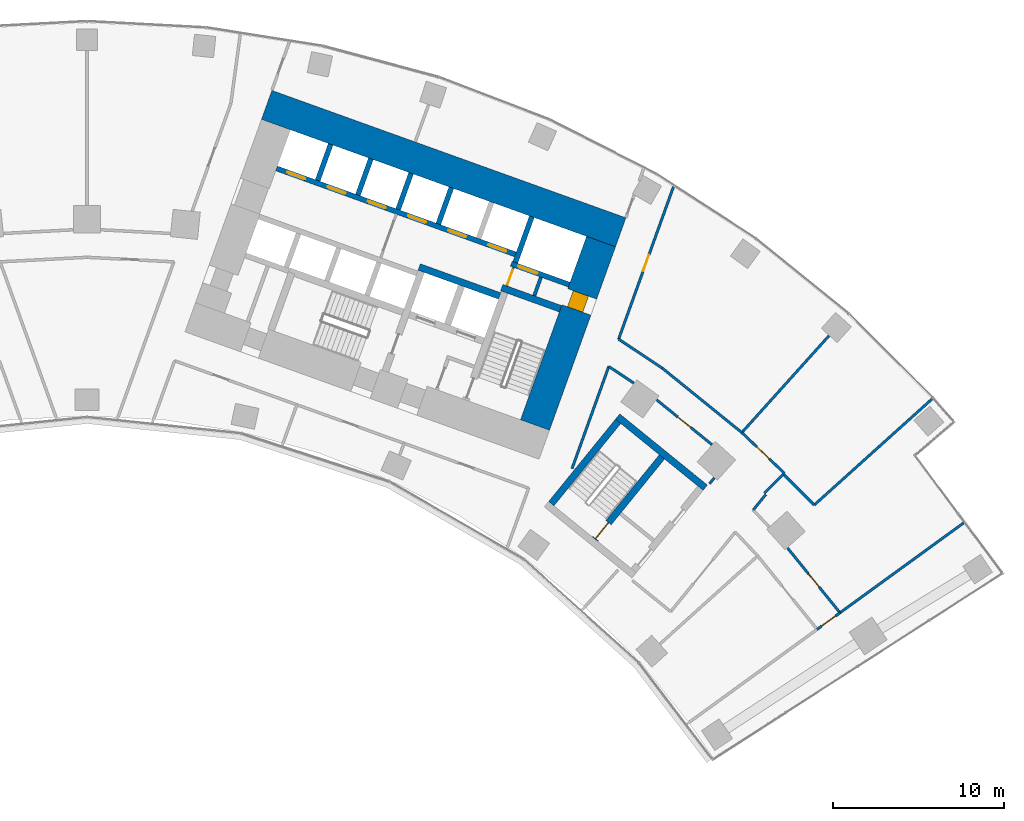
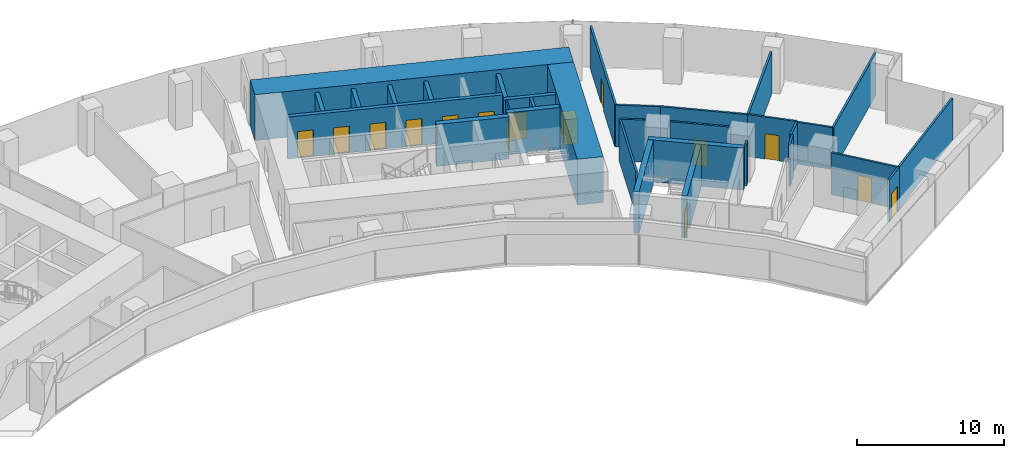
# One storey, part 18 of 21: 32 walls, 15 doors, 15 openings.
"""IFC4 building model written with IfcOpenShell, lengths in metres."""

from ifc_helpers import new_model, si_unit, direction, frame, frame_2d, origin, place, context, subcontext, project, spatial, rectangle, extrude, material, layer, layer_set, type_object, element, fill, save


model = new_model("IFC4")

# Units and contexts
model_context = context("Model", 3, precision=1e-05, world=origin(), true_north=direction((0.0, 1.0)))
body_context = subcontext(model_context, "Body", "Model", "MODEL_VIEW")
ifc_project = project(units=[si_unit("LENGTHUNIT", "METRE"), si_unit("AREAUNIT", "SQUARE_METRE"), si_unit("VOLUMEUNIT", "CUBIC_METRE"), si_unit("PLANEANGLEUNIT", "RADIAN"), si_unit("MASSUNIT", "GRAM", prefix="KILO")], contexts=[model_context])

# Site, building, storey
site_placement = place(None, origin())
site = spatial("IfcSite", under=ifc_project, at=site_placement, CompositionType="ELEMENT")
building_placement = place(site_placement, origin())
building = spatial("IfcBuilding", under=site, at=building_placement, Name="Stone Belt Terrace Tower", CompositionType="ELEMENT")
storey_placement = place(building_placement, frame((0.0, 0.0, 49.0)))
storey = spatial("IfcBuildingStorey", under=building, at=storey_placement, Name="L11", CompositionType="ELEMENT", Elevation=49.0)

# Wall, opening, door
ifc_material_1 = material(Name="Plasterboard partition")
ifc_layer_1 = layer(ifc_material_1, 0.10009765625)
ifc_layer_set_1 = layer_set([ifc_layer_1], Name="Core partition 100")
wall_type_1 = type_object("IfcWallType", Name="Core partition 100", PredefinedType="PARTITIONING", material=ifc_layer_set_1)
wall_1_placement = place(storey_placement, frame((24.555908203125, 51.10400390625, 0.0), z_axis=(0.0, 0.0, 1.0), x_axis=(0.338621735342, 0.94092258999, 0.0)))
wall_1 = element("IfcWall", 1, at=wall_1_placement, inside=storey, type_object=wall_type_1, Name="Core B wall", PredefinedType="PARTITIONING", context=body_context, shape_type="SweptSolid", body=[
    extrude(rectangle(XDim=1.14990234375, YDim=0.10009765625, at=frame_2d((0.574951171875, 0.0))), origin(), (0.0, 0.0, 1.0), 3.47998046875),
])
opening_1_placement = place(wall_1_placement, frame((0.050048828125, 0.0, 0.0)))
opening_1 = element("IfcOpeningElement", 2, at=opening_1_placement, cuts=wall_1, Name="Opening L11-C13", PredefinedType="OPENING", context=body_context, shape_type="SweptSolid", body=[
    extrude(rectangle(XDim=1.0, YDim=2.10009765625, at=frame_2d((0.5, 1.050048828125))), frame((0.0, 0.06005859375, 0.0), z_axis=(0.0, -1.0, 0.0), x_axis=(1.0, 0.0, 0.0)), (0.0, 0.0, 1.0), 0.1201171875),
])
ifc_material_2 = material(Name="Timber door leaf", Category="wood")
door_type_1 = type_object("IfcDoorType", Name="Core room door 1000", OperationType="SINGLE_SWING_LEFT", PredefinedType="DOOR", material=ifc_material_2)
door_1_placement = place(opening_1_placement, origin())
door_1 = element("IfcDoor", 3, at=door_1_placement, inside=storey, type_object=door_type_1, Name="Service lift lobby door core B", OperationType="SINGLE_SWING_RIGHT", OverallHeight=2.10009765625, OverallWidth=1.0, PredefinedType="DOOR", context=body_context, shape_type="SweptSolid", body=[
    extrude(rectangle(XDim=1.0, YDim=2.10009765625, at=frame_2d((0.5, 1.050048828125))), frame((0.0, 0.02490234375, 0.0), z_axis=(0.0, -1.0, 0.0), x_axis=(1.0, 0.0, 0.0)), (0.0, 0.0, 1.0), 0.050048828125),
])
fill(opening_1, door_1)

# Wall
ifc_material_3 = material(Name="Concrete B80", Category="concrete")
ifc_layer_2 = layer(ifc_material_3, 1.800048828125)
ifc_layer_set_2 = layer_set([ifc_layer_2], Name="Core wall 1800 B80")
wall_type_2 = type_object("IfcWallType", Name="Core wall 1800 B80", PredefinedType="SHEAR", material=ifc_layer_set_2)
wall_2_placement = place(storey_placement, frame((10.509033203125, 61.685546875, 0.0), z_axis=(0.0, 0.0, 1.0), x_axis=(0.940922914687, -0.338620833112, 0.0)))
element("IfcWall", 4, at=wall_2_placement, inside=storey, type_object=wall_type_2, Name="Core B wall convex L11", PredefinedType="SHEAR", context=body_context, shape_type="SweptSolid", body=[
    extrude(rectangle(XDim=22.000244140625, YDim=1.800048828125, at=frame_2d((11.0, 0.0))), origin(), (0.0, 0.0, 1.0), 3.800048828125),
])

# Wall, opening, door
wall_3_placement = place(storey_placement, frame((26.197509765625, 42.96728515625, 0.0), z_axis=(0.0, 0.0, 1.0), x_axis=(0.338625431531, 0.940921259788, 0.0)))
wall_3 = element("IfcWall", 5, at=wall_3_placement, inside=storey, type_object=wall_type_2, Name="Core B wall end_b L11", PredefinedType="SHEAR", context=body_context, shape_type="SweptSolid", body=[
    extrude(rectangle(XDim=11.400146484375, YDim=1.800048828125, at=frame_2d((5.7001953125, 0.0))), origin(), (0.0, 0.0, 1.0), 3.800048828125),
])
opening_2_placement = place(wall_3_placement, frame((7.150146484375, 0.0, 0.0)))
opening_2 = element("IfcOpeningElement", 6, at=opening_2_placement, cuts=wall_3, Name="Opening L11-C12", PredefinedType="OPENING", context=body_context, shape_type="SweptSolid", body=[
    extrude(rectangle(XDim=1.0, YDim=2.10009765625, at=frame_2d((0.5, 1.050048828125))), frame((0.0, 0.909912109375, 0.0), z_axis=(0.0, -1.0, 0.0), x_axis=(1.0, 0.0, 0.0)), (0.0, 0.0, 1.0), 1.820068359375),
])
door_2_placement = place(opening_2_placement, origin())
door_2 = element("IfcDoor", 7, at=door_2_placement, inside=storey, type_object=door_type_1, Name="Door to Telecommunications riser room core B", OperationType="SINGLE_SWING_LEFT", OverallHeight=2.10009765625, OverallWidth=1.0, PredefinedType="DOOR", context=body_context, shape_type="SweptSolid", body=[
    extrude(rectangle(XDim=1.0, YDim=2.10009765625, at=frame_2d((0.5, 1.050048828125))), frame((0.0, 0.55517578125, 0.0), z_axis=(0.0, -1.0, 0.0), x_axis=(1.0, 0.0, 0.0)), (0.0, 0.0, 1.0), 0.949951171875),
])
fill(opening_2, door_2)

# Wall
ifc_layer_3 = layer(ifc_material_3, 0.39990234375)
ifc_layer_set_3 = layer_set([ifc_layer_3], Name="Fire-fighting lift shaft wall 400")
wall_type_3 = type_object("IfcWallType", Name="Fire-fighting lift shaft wall 400", PredefinedType="SHEAR", material=ifc_layer_set_3)
wall_4_placement = place(storey_placement, frame((24.130615234375, 50.512939453125, 0.0), z_axis=(0.0, 0.0, 1.0), x_axis=(-0.94091168377, 0.338652038744, 0.0)))
element("IfcWall", 8, at=wall_4_placement, inside=storey, type_object=wall_type_3, Name="Core B wall", PredefinedType="SHEAR", context=body_context, shape_type="SweptSolid", body=[
    extrude(rectangle(XDim=5.000244140625, YDim=0.39990234375, at=frame_2d((2.5, 0.0))), origin(), (0.0, 0.0, 1.0), 3.47998046875),
])

# Wall, opening, door
ifc_layer_4 = layer(ifc_material_3, 0.300048828125)
ifc_layer_set_4 = layer_set([ifc_layer_4], Name="Lift shaft wall 300")
wall_type_4 = type_object("IfcWallType", Name="Lift shaft wall 300", PredefinedType="SHEAR", material=ifc_layer_set_4)
wall_5_placement = place(storey_placement, frame((28.195068359375, 51.17578125, 0.0), z_axis=(0.0, 0.0, 1.0), x_axis=(-0.940901243567, 0.338681044427, 0.0)))
wall_5 = element("IfcWall", 9, at=wall_5_placement, inside=storey, type_object=wall_type_4, Name="Core B wall", PredefinedType="SHEAR", context=body_context, shape_type="SweptSolid", body=[
    extrude(rectangle(XDim=3.599853515625, YDim=0.300048828125, at=frame_2d((1.7998046875, 0.0))), origin(), (0.0, 0.0, 1.0), 3.47998046875),
])
opening_3_placement = place(wall_5_placement, frame((1.969970703125, 0.0, 0.0)))
opening_3 = element("IfcOpeningElement", 10, at=opening_3_placement, cuts=wall_5, Name="Opening L11-LD18", PredefinedType="OPENING", context=body_context, shape_type="SweptSolid", body=[
    extrude(rectangle(XDim=1.199951171875, YDim=2.199951171875, at=frame_2d((0.60009765625, 1.10009765625))), frame((0.0, 0.159912109375, 0.0), z_axis=(0.0, -1.0, 0.0), x_axis=(1.0, 0.0, 0.0)), (0.0, 0.0, 1.0), 0.320068359375),
])
ifc_material_4 = material(Name="Stainless steel door leaf", Category="steel")
door_type_2 = type_object("IfcDoorType", Name="Landing door 1200", OperationType="SLIDING_TO_LEFT", PredefinedType="DOOR", material=ifc_material_4)
door_3_placement = place(opening_3_placement, origin())
door_3 = element("IfcDoor", 11, at=door_3_placement, inside=storey, type_object=door_type_2, Name="Landing door SV1 core B", OperationType="SLIDING_TO_LEFT", OverallHeight=2.199951171875, OverallWidth=1.199951171875, PredefinedType="DOOR", context=body_context, shape_type="SweptSolid", body=[
    extrude(rectangle(XDim=1.199951171875, YDim=2.199951171875, at=frame_2d((0.60009765625, 1.10009765625))), frame((0.0, 0.02490234375, 0.0), z_axis=(0.0, -1.0, 0.0), x_axis=(1.0, 0.0, 0.0)), (0.0, 0.0, 1.0), 0.050048828125),
])
fill(opening_3, door_3)

# Wall
wall_6_placement = place(storey_placement, frame((25.046875, 52.46826171875, 0.0), z_axis=(0.0, 0.0, 1.0), x_axis=(0.338549588058, 0.940948551423, 0.0)))
element("IfcWall", 12, at=wall_6_placement, inside=storey, type_object=wall_type_4, Name="Core B wall", PredefinedType="SHEAR", context=body_context, shape_type="SweptSolid", body=[
    extrude(rectangle(XDim=2.849853515625, YDim=0.300048828125, at=frame_2d((1.4248046875, 0.0))), origin(), (0.0, 0.0, 1.0), 3.47998046875),
])

# Wall, openings, doors
wall_7_placement = place(storey_placement, frame((25.05810546875, 52.9423828125, 0.0), z_axis=(0.0, 0.0, 1.0), x_axis=(-0.940918215764, 0.338633889685, 0.0)))
wall_7 = element("IfcWall", 13, at=wall_7_placement, inside=storey, type_object=wall_type_4, Name="Core B wall", PredefinedType="SHEAR", context=body_context, shape_type="SweptSolid", body=[
    extrude(rectangle(XDim=14.850341796875, YDim=0.300048828125, at=frame_2d((7.42529296875, 0.0))), origin(), (0.0, 0.0, 1.0), 3.47998046875),
])
opening_4_placement = place(wall_7_placement, frame((0.570068359375, 0.0, 0.0)))
opening_4 = element("IfcOpeningElement", 14, at=opening_4_placement, cuts=wall_7, Name="Opening L11-LD10", PredefinedType="OPENING", context=body_context, shape_type="SweptSolid", body=[
    extrude(rectangle(XDim=1.10009765625, YDim=2.199951171875, at=frame_2d((0.550048828125, 1.10009765625))), frame((0.0, 0.159912109375, 0.0), z_axis=(0.0, -1.0, 0.0), x_axis=(1.0, 0.0, 0.0)), (0.0, 0.0, 1.0), 0.320068359375),
])
opening_5_placement = place(wall_7_placement, frame((3.070068359375, 0.0, 0.0)))
opening_5 = element("IfcOpeningElement", 15, at=opening_5_placement, cuts=wall_7, Name="Opening L11-LD11", PredefinedType="OPENING", context=body_context, shape_type="SweptSolid", body=[
    extrude(rectangle(XDim=1.10009765625, YDim=2.199951171875, at=frame_2d((0.550048828125, 1.10009765625))), frame((0.0, 0.159912109375, 0.0), z_axis=(0.0, -1.0, 0.0), x_axis=(1.0, 0.0, 0.0)), (0.0, 0.0, 1.0), 0.320068359375),
])
opening_6_placement = place(wall_7_placement, frame((5.570068359375, 0.0, 0.0)))
opening_6 = element("IfcOpeningElement", 16, at=opening_6_placement, cuts=wall_7, Name="Opening L11-LD12", PredefinedType="OPENING", context=body_context, shape_type="SweptSolid", body=[
    extrude(rectangle(XDim=1.10009765625, YDim=2.199951171875, at=frame_2d((0.550048828125, 1.10009765625))), frame((0.0, 0.159912109375, 0.0), z_axis=(0.0, -1.0, 0.0), x_axis=(1.0, 0.0, 0.0)), (0.0, 0.0, 1.0), 0.320068359375),
])
opening_7_placement = place(wall_7_placement, frame((8.070068359375, 0.0, 0.0)))
opening_7 = element("IfcOpeningElement", 17, at=opening_7_placement, cuts=wall_7, Name="Opening L11-LD13", PredefinedType="OPENING", context=body_context, shape_type="SweptSolid", body=[
    extrude(rectangle(XDim=1.10009765625, YDim=2.199951171875, at=frame_2d((0.550048828125, 1.10009765625))), frame((0.0, 0.159912109375, 0.0), z_axis=(0.0, -1.0, 0.0), x_axis=(1.0, 0.0, 0.0)), (0.0, 0.0, 1.0), 0.320068359375),
])
opening_8_placement = place(wall_7_placement, frame((10.570068359375, 0.0, 0.0)))
opening_8 = element("IfcOpeningElement", 18, at=opening_8_placement, cuts=wall_7, Name="Opening L11-LD14", PredefinedType="OPENING", context=body_context, shape_type="SweptSolid", body=[
    extrude(rectangle(XDim=1.10009765625, YDim=2.199951171875, at=frame_2d((0.550048828125, 1.10009765625))), frame((0.0, 0.159912109375, 0.0), z_axis=(0.0, -1.0, 0.0), x_axis=(1.0, 0.0, 0.0)), (0.0, 0.0, 1.0), 0.320068359375),
])
opening_9_placement = place(wall_7_placement, frame((13.070068359375, 0.0, 0.0)))
opening_9 = element("IfcOpeningElement", 19, at=opening_9_placement, cuts=wall_7, Name="Opening L11-LD15", PredefinedType="OPENING", context=body_context, shape_type="SweptSolid", body=[
    extrude(rectangle(XDim=1.10009765625, YDim=2.199951171875, at=frame_2d((0.550048828125, 1.10009765625))), frame((0.0, 0.159912109375, 0.0), z_axis=(0.0, -1.0, 0.0), x_axis=(1.0, 0.0, 0.0)), (0.0, 0.0, 1.0), 0.320068359375),
])
door_type_3 = type_object("IfcDoorType", Name="Landing door 1100", OperationType="SLIDING_TO_LEFT", PredefinedType="DOOR", material=ifc_material_4)
door_4_placement = place(opening_4_placement, origin())
door_4 = element("IfcDoor", 20, at=door_4_placement, inside=storey, type_object=door_type_3, Name="Landing door LR1 core B", OperationType="SLIDING_TO_LEFT", OverallHeight=2.199951171875, OverallWidth=1.10009765625, PredefinedType="DOOR", context=body_context, shape_type="SweptSolid", body=[
    extrude(rectangle(XDim=1.10009765625, YDim=2.199951171875, at=frame_2d((0.550048828125, 1.10009765625))), frame((0.0, 0.02490234375, 0.0), z_axis=(0.0, -1.0, 0.0), x_axis=(1.0, 0.0, 0.0)), (0.0, 0.0, 1.0), 0.050048828125),
])
fill(opening_4, door_4)
door_5_placement = place(opening_5_placement, origin())
door_5 = element("IfcDoor", 21, at=door_5_placement, inside=storey, type_object=door_type_3, Name="Landing door LR2 core B", OperationType="SLIDING_TO_LEFT", OverallHeight=2.199951171875, OverallWidth=1.10009765625, PredefinedType="DOOR", context=body_context, shape_type="SweptSolid", body=[
    extrude(rectangle(XDim=1.10009765625, YDim=2.199951171875, at=frame_2d((0.550048828125, 1.10009765625))), frame((0.0, 0.02490234375, 0.0), z_axis=(0.0, -1.0, 0.0), x_axis=(1.0, 0.0, 0.0)), (0.0, 0.0, 1.0), 0.050048828125),
])
fill(opening_5, door_5)
door_6_placement = place(opening_6_placement, origin())
door_6 = element("IfcDoor", 22, at=door_6_placement, inside=storey, type_object=door_type_3, Name="Landing door LR3 core B", OperationType="SLIDING_TO_LEFT", OverallHeight=2.199951171875, OverallWidth=1.10009765625, PredefinedType="DOOR", context=body_context, shape_type="SweptSolid", body=[
    extrude(rectangle(XDim=1.10009765625, YDim=2.199951171875, at=frame_2d((0.550048828125, 1.10009765625))), frame((0.0, 0.02490234375, 0.0), z_axis=(0.0, -1.0, 0.0), x_axis=(1.0, 0.0, 0.0)), (0.0, 0.0, 1.0), 0.050048828125),
])
fill(opening_6, door_6)
door_7_placement = place(opening_7_placement, origin())
door_7 = element("IfcDoor", 23, at=door_7_placement, inside=storey, type_object=door_type_3, Name="Landing door LR4 core B", OperationType="SLIDING_TO_LEFT", OverallHeight=2.199951171875, OverallWidth=1.10009765625, PredefinedType="DOOR", context=body_context, shape_type="SweptSolid", body=[
    extrude(rectangle(XDim=1.10009765625, YDim=2.199951171875, at=frame_2d((0.550048828125, 1.10009765625))), frame((0.0, 0.02490234375, 0.0), z_axis=(0.0, -1.0, 0.0), x_axis=(1.0, 0.0, 0.0)), (0.0, 0.0, 1.0), 0.050048828125),
])
fill(opening_7, door_7)
door_8_placement = place(opening_8_placement, origin())
door_8 = element("IfcDoor", 24, at=door_8_placement, inside=storey, type_object=door_type_3, Name="Landing door LR5 core B", OperationType="SLIDING_TO_LEFT", OverallHeight=2.199951171875, OverallWidth=1.10009765625, PredefinedType="DOOR", context=body_context, shape_type="SweptSolid", body=[
    extrude(rectangle(XDim=1.10009765625, YDim=2.199951171875, at=frame_2d((0.550048828125, 1.10009765625))), frame((0.0, 0.02490234375, 0.0), z_axis=(0.0, -1.0, 0.0), x_axis=(1.0, 0.0, 0.0)), (0.0, 0.0, 1.0), 0.050048828125),
])
fill(opening_8, door_8)
door_9_placement = place(opening_9_placement, origin())
door_9 = element("IfcDoor", 25, at=door_9_placement, inside=storey, type_object=door_type_3, Name="Landing door LR6 core B", OperationType="SLIDING_TO_LEFT", OverallHeight=2.199951171875, OverallWidth=1.10009765625, PredefinedType="DOOR", context=body_context, shape_type="SweptSolid", body=[
    extrude(rectangle(XDim=1.10009765625, YDim=2.199951171875, at=frame_2d((0.550048828125, 1.10009765625))), frame((0.0, 0.02490234375, 0.0), z_axis=(0.0, -1.0, 0.0), x_axis=(1.0, 0.0, 0.0)), (0.0, 0.0, 1.0), 0.050048828125),
])
fill(opening_9, door_9)

# Walls
wall_8_placement = place(storey_placement, frame((20.54541015625, 54.72607421875, 0.0), z_axis=(0.0, 0.0, 1.0), x_axis=(0.338569601369, 0.940941350472, 0.0)))
element("IfcWall", 26, at=wall_8_placement, inside=storey, type_object=wall_type_4, Name="Core B wall", PredefinedType="SHEAR", context=body_context, shape_type="SweptSolid", body=[
    extrude(rectangle(XDim=2.249755859375, YDim=0.300048828125, at=frame_2d((1.125, 0.0))), origin(), (0.0, 0.0, 1.0), 3.47998046875),
])
wall_9_placement = place(storey_placement, frame((18.193115234375, 55.572509765625, 0.0), z_axis=(0.0, 0.0, 1.0), x_axis=(0.338535034312, 0.940953787677, 0.0)))
element("IfcWall", 27, at=wall_9_placement, inside=storey, type_object=wall_type_4, Name="Core B wall", PredefinedType="SHEAR", context=body_context, shape_type="SweptSolid", body=[
    extrude(rectangle(XDim=2.25, YDim=0.300048828125, at=frame_2d((1.125, 0.0))), origin(), (0.0, 0.0, 1.0), 3.47998046875),
])
wall_10_placement = place(storey_placement, frame((15.8408203125, 56.419189453125, 0.0), z_axis=(0.0, 0.0, 1.0), x_axis=(0.338569601369, 0.940941350472, 0.0)))
element("IfcWall", 28, at=wall_10_placement, inside=storey, type_object=wall_type_4, Name="Core B wall", PredefinedType="SHEAR", context=body_context, shape_type="SweptSolid", body=[
    extrude(rectangle(XDim=2.249755859375, YDim=0.300048828125, at=frame_2d((1.125, 0.0))), origin(), (0.0, 0.0, 1.0), 3.47998046875),
])
wall_11_placement = place(storey_placement, frame((13.48828125, 57.265625, 0.0), z_axis=(0.0, 0.0, 1.0), x_axis=(0.338631098537, 0.940919220286, 0.0)))
element("IfcWall", 29, at=wall_11_placement, inside=storey, type_object=wall_type_4, Name="Core B wall", PredefinedType="SHEAR", context=body_context, shape_type="SweptSolid", body=[
    extrude(rectangle(XDim=2.250244140625, YDim=0.300048828125, at=frame_2d((1.125, 0.0))), origin(), (0.0, 0.0, 1.0), 3.47998046875),
])
ifc_material_5 = material(Name="Gypsum board partition")
ifc_layer_5 = layer(ifc_material_5, 0.14990234375)
ifc_layer_set_5 = layer_set([ifc_layer_5], Name="PARTITION 150 EI 60")
wall_type_5 = type_object("IfcWallType", Name="PARTITION 150 EI 60", PredefinedType="PARTITIONING", material=ifc_layer_set_5)
wall_12_placement = place(storey_placement, frame((30.512939453125, 46.39599609375, 0.0), z_axis=(0.0, 0.0, 1.0), x_axis=(-0.338588876135, -0.940934414801, 0.0)))
element("IfcWall", 30, at=wall_12_placement, inside=storey, type_object=wall_type_5, Name="L11/wall/i025", PredefinedType="PARTITIONING", context=body_context, shape_type="SweptSolid", body=[
    extrude(rectangle(XDim=6.35546875, YDim=0.14990234375, at=frame_2d((3.177734375, 0.0))), origin(), (0.0, 0.0, 1.0), 3.47998046875),
])

# Wall, opening, door
wall_13_placement = place(storey_placement, frame((34.298095703125, 56.91015625, 0.0), z_axis=(0.0, 0.0, 1.0), x_axis=(-0.33871491295, -0.940889051772, 0.0)))
wall_13 = element("IfcWall", 31, at=wall_13_placement, inside=storey, type_object=wall_type_5, Name="L11/wall/i027", PredefinedType="PARTITIONING", context=body_context, shape_type="SweptSolid", body=[
    extrude(rectangle(XDim=9.489013671875, YDim=0.14990234375, at=frame_2d((4.74462890625, 0.0))), origin(), (0.0, 0.0, 1.0), 3.47998046875),
])
opening_10_placement = place(wall_13_placement, frame((4.244384765625, 0.0, 0.0)))
opening_10 = element("IfcOpeningElement", 32, at=opening_10_placement, cuts=wall_13, Name="Opening D-A3-24", PredefinedType="OPENING", context=body_context, shape_type="SweptSolid", body=[
    extrude(rectangle(XDim=1.0, YDim=2.10009765625, at=frame_2d((0.5, 1.050048828125))), frame((0.0, 0.0849609375, 0.0), z_axis=(0.0, -1.0, 0.0), x_axis=(1.0, 0.0, 0.0)), (0.0, 0.0, 1.0), 0.169921875),
])
ifc_material_6 = material(Name="Timber fire door leaf", Category="wood")
door_type_4 = type_object("IfcDoorType", Name="TENANCY ENTRANCE DOOR 1000 X 2100", OperationType="NOTDEFINED", PredefinedType="DOOR", material=ifc_material_6)
door_10_placement = place(opening_10_placement, origin())
door_10 = element("IfcDoor", 33, at=door_10_placement, inside=storey, type_object=door_type_4, Name="L11/door/i24", OperationType="SINGLE_SWING_RIGHT", OverallHeight=2.10009765625, OverallWidth=1.0, PredefinedType="DOOR", context=body_context, shape_type="SweptSolid", body=[
    extrude(rectangle(XDim=1.0, YDim=2.10009765625, at=frame_2d((0.5, 1.050048828125))), frame((0.0, 0.02490234375, 0.0), z_axis=(0.0, -1.0, 0.0), x_axis=(1.0, 0.0, 0.0)), (0.0, 0.0, 1.0), 0.050048828125),
])
fill(opening_10, door_10)

wall_14_placement = place(storey_placement, frame((44.035888671875, 31.992919921875, 0.0), z_axis=(0.0, 0.0, 1.0), x_axis=(-0.809123336002, -0.58763885775, 0.0)))
wall_14 = element("IfcWall", 34, at=wall_14_placement, inside=storey, type_object=wall_type_5, Name="L11/wall/i061", PredefinedType="PARTITIONING", context=body_context, shape_type="SweptSolid", body=[
    extrude(rectangle(XDim=1.662353515625, YDim=0.14990234375, at=frame_2d((0.8310546875, 0.0))), origin(), (0.0, 0.0, 1.0), 3.47998046875),
])
opening_11_placement = place(wall_14_placement, frame((0.331298828125, 0.0, 0.0)))
opening_11 = element("IfcOpeningElement", 35, at=opening_11_placement, cuts=wall_14, Name="Opening D-A3-20", PredefinedType="OPENING", context=body_context, shape_type="SweptSolid", body=[
    extrude(rectangle(XDim=1.0, YDim=2.10009765625, at=frame_2d((0.5, 1.050048828125))), frame((0.0, 0.0849609375, 0.0), z_axis=(0.0, -1.0, 0.0), x_axis=(1.0, 0.0, 0.0)), (0.0, 0.0, 1.0), 0.169921875),
])
door_11_placement = place(opening_11_placement, origin())
door_11 = element("IfcDoor", 36, at=door_11_placement, inside=storey, type_object=door_type_4, Name="L11/door/i20", OperationType="SINGLE_SWING_RIGHT", OverallHeight=2.10009765625, OverallWidth=1.0, PredefinedType="DOOR", context=body_context, shape_type="SweptSolid", body=[
    extrude(rectangle(XDim=1.0, YDim=2.10009765625, at=frame_2d((0.5, 1.050048828125))), frame((0.0, 0.02490234375, 0.0), z_axis=(0.0, -1.0, 0.0), x_axis=(1.0, 0.0, 0.0)), (0.0, 0.0, 1.0), 0.050048828125),
])
fill(opening_11, door_11)

# Wall
wall_15_placement = place(storey_placement, frame((44.02587890625, 31.987060546875, 0.0), z_axis=(0.0, 0.0, 1.0), x_axis=(0.809051316885, 0.587738008509, 0.0)))
element("IfcWall", 37, at=wall_15_placement, inside=storey, type_object=wall_type_5, Name="L11/wall/i063", PredefinedType="PARTITIONING", context=body_context, shape_type="SweptSolid", body=[
    extrude(rectangle(XDim=8.938720703125, YDim=0.14990234375, at=frame_2d((4.46923828125, 0.0))), origin(), (0.0, 0.0, 1.0), 3.47998046875),
])

# Wall, opening, door
wall_16_placement = place(storey_placement, frame((36.540771484375, 41.8232421875, 0.0), z_axis=(0.0, 0.0, 1.0), x_axis=(-0.777128540701, 0.629341903283, 0.0)))
wall_16 = element("IfcWall", 38, at=wall_16_placement, inside=storey, type_object=wall_type_5, Name="L11/wall/i064", PredefinedType="PARTITIONING", context=body_context, shape_type="SweptSolid", body=[
    extrude(rectangle(XDim=4.15478515625, YDim=0.14990234375, at=frame_2d((2.077392578125, 0.0))), origin(), (0.0, 0.0, 1.0), 3.47998046875),
])
opening_12_placement = place(wall_16_placement, frame((1.577392578125, 0.0, 0.0)))
opening_12 = element("IfcOpeningElement", 39, at=opening_12_placement, cuts=wall_16, Name="Opening D-A3-21", PredefinedType="OPENING", context=body_context, shape_type="SweptSolid", body=[
    extrude(rectangle(XDim=1.0, YDim=2.10009765625, at=frame_2d((0.5, 1.050048828125))), frame((0.0, 0.0849609375, 0.0), z_axis=(0.0, -1.0, 0.0), x_axis=(1.0, 0.0, 0.0)), (0.0, 0.0, 1.0), 0.169921875),
])
door_12_placement = place(opening_12_placement, origin())
door_12 = element("IfcDoor", 40, at=door_12_placement, inside=storey, type_object=door_type_4, Name="L11/door/i21", OperationType="SINGLE_SWING_RIGHT", OverallHeight=2.10009765625, OverallWidth=1.0, PredefinedType="DOOR", context=body_context, shape_type="SweptSolid", body=[
    extrude(rectangle(XDim=1.0, YDim=2.10009765625, at=frame_2d((0.5, 1.050048828125))), frame((0.0, 0.02490234375, 0.0), z_axis=(0.0, -1.0, 0.0), x_axis=(1.0, 0.0, 0.0)), (0.0, 0.0, 1.0), 0.050048828125),
])
fill(opening_12, door_12)

# Walls
wall_17_placement = place(storey_placement, frame((31.9736328125, 45.420166015625, 0.0), z_axis=(0.0, 0.0, 1.0), x_axis=(-0.833460186345, 0.552579512629, 0.0)))
element("IfcWall", 41, at=wall_17_placement, inside=storey, type_object=wall_type_5, Name="L11/wall/i065", PredefinedType="PARTITIONING", context=body_context, shape_type="SweptSolid", body=[
    extrude(rectangle(XDim=1.7548828125, YDim=0.14990234375, at=frame_2d((0.87744140625, 0.0))), origin(), (0.0, 0.0, 1.0), 3.47998046875),
])
wall_18_placement = place(storey_placement, frame((31.0859375, 47.988037109375, 0.0), z_axis=(0.0, 0.0, 1.0), x_axis=(0.833238850842, -0.552913209688, 0.0)))
element("IfcWall", 42, at=wall_18_placement, inside=storey, type_object=wall_type_5, Name="L11/wall/i066", PredefinedType="PARTITIONING", context=body_context, shape_type="SweptSolid", body=[
    extrude(rectangle(XDim=3.060302734375, YDim=0.14990234375, at=frame_2d((1.5302734375, 0.0))), origin(), (0.0, 0.0, 1.0), 3.47998046875),
])
wall_19_placement = place(storey_placement, frame((33.635986328125, 46.2958984375, 0.0), z_axis=(0.0, 0.0, 1.0), x_axis=(0.777109127033, -0.629365875054, 0.0)))
element("IfcWall", 43, at=wall_19_placement, inside=storey, type_object=wall_type_5, Name="L11/wall/i067", PredefinedType="PARTITIONING", context=body_context, shape_type="SweptSolid", body=[
    extrude(rectangle(XDim=5.990234375, YDim=0.14990234375, at=frame_2d((2.9951171875, 0.0))), origin(), (0.0, 0.0, 1.0), 3.47998046875),
])

# Wall, opening, door
wall_20_placement = place(storey_placement, frame((38.291015625, 42.52587890625, 0.0), z_axis=(0.0, 0.0, 1.0), x_axis=(0.722780468826, -0.691077704664, 0.0)))
wall_20 = element("IfcWall", 44, at=wall_20_placement, inside=storey, type_object=wall_type_5, Name="L11/wall/i068", PredefinedType="PARTITIONING", context=body_context, shape_type="SweptSolid", body=[
    extrude(rectangle(XDim=3.4423828125, YDim=0.14990234375, at=frame_2d((1.72119140625, 0.0))), origin(), (0.0, 0.0, 1.0), 3.47998046875),
])
opening_13_placement = place(wall_20_placement, frame((1.22119140625, 0.0, 0.0)))
opening_13 = element("IfcOpeningElement", 45, at=opening_13_placement, cuts=wall_20, Name="Opening D-A3-25", PredefinedType="OPENING", context=body_context, shape_type="SweptSolid", body=[
    extrude(rectangle(XDim=1.0, YDim=2.10009765625, at=frame_2d((0.5, 1.050048828125))), frame((0.0, 0.0849609375, 0.0), z_axis=(0.0, -1.0, 0.0), x_axis=(1.0, 0.0, 0.0)), (0.0, 0.0, 1.0), 0.169921875),
])
door_13_placement = place(opening_13_placement, origin())
door_13 = element("IfcDoor", 46, at=door_13_placement, inside=storey, type_object=door_type_4, Name="L11/door/i25", OperationType="SINGLE_SWING_RIGHT", OverallHeight=2.10009765625, OverallWidth=1.0, PredefinedType="DOOR", context=body_context, shape_type="SweptSolid", body=[
    extrude(rectangle(XDim=1.0, YDim=2.10009765625, at=frame_2d((0.5, 1.050048828125))), frame((0.0, 0.02490234375, 0.0), z_axis=(0.0, -1.0, 0.0), x_axis=(1.0, 0.0, 0.0)), (0.0, 0.0, 1.0), 0.050048828125),
])
fill(opening_13, door_13)

# Wall
wall_21_placement = place(storey_placement, frame((40.72802734375, 40.096923828125, 0.0), z_axis=(0.0, 0.0, 1.0), x_axis=(-0.712511967549, -0.7016599576, 0.0)))
element("IfcWall", 47, at=wall_21_placement, inside=storey, type_object=wall_type_5, Name="L11/wall/i069", PredefinedType="PARTITIONING", context=body_context, shape_type="SweptSolid", body=[
    extrude(rectangle(XDim=1.57470703125, YDim=0.14990234375, at=frame_2d((0.787353515625, 0.0))), origin(), (0.0, 0.0, 1.0), 3.47998046875),
])

# Wall, opening, door
wall_22_placement = place(storey_placement, frame((40.96875, 35.771484375, 0.0), z_axis=(0.0, 0.0, 1.0), x_axis=(0.629328121528, -0.777139701375, 0.0)))
wall_22 = element("IfcWall", 48, at=wall_22_placement, inside=storey, type_object=wall_type_5, Name="L11/wall/i073", PredefinedType="PARTITIONING", context=body_context, shape_type="SweptSolid", body=[
    extrude(rectangle(XDim=4.865966796875, YDim=0.14990234375, at=frame_2d((2.43310546875, 0.0))), origin(), (0.0, 0.0, 1.0), 3.47998046875),
])
opening_14_placement = place(wall_22_placement, frame((1.932861328125, 0.0, 0.0)))
opening_14 = element("IfcOpeningElement", 49, at=opening_14_placement, cuts=wall_22, Name="Opening D-A3-26", PredefinedType="OPENING", context=body_context, shape_type="SweptSolid", body=[
    extrude(rectangle(XDim=1.0, YDim=2.10009765625, at=frame_2d((0.5, 1.050048828125))), frame((0.0, 0.0849609375, 0.0), z_axis=(0.0, -1.0, 0.0), x_axis=(1.0, 0.0, 0.0)), (0.0, 0.0, 1.0), 0.169921875),
])
door_14_placement = place(opening_14_placement, origin())
door_14 = element("IfcDoor", 50, at=door_14_placement, inside=storey, type_object=door_type_4, Name="L11/door/i26", OperationType="SINGLE_SWING_RIGHT", OverallHeight=2.10009765625, OverallWidth=1.0, PredefinedType="DOOR", context=body_context, shape_type="SweptSolid", body=[
    extrude(rectangle(XDim=1.0, YDim=2.10009765625, at=frame_2d((0.5, 1.050048828125))), frame((0.0, 0.02490234375, 0.0), z_axis=(0.0, -1.0, 0.0), x_axis=(1.0, 0.0, 0.0)), (0.0, 0.0, 1.0), 0.050048828125),
])
fill(opening_14, door_14)

# Walls
wall_23_placement = place(storey_placement, frame((36.406005859375, 39.537109375, 0.0), z_axis=(0.0, 0.0, 1.0), x_axis=(0.630378027046, 0.776288311787, 0.0)))
element("IfcWall", 51, at=wall_23_placement, inside=storey, type_object=wall_type_5, Name="L11/wall/i074", PredefinedType="PARTITIONING", context=body_context, shape_type="SweptSolid", body=[
    extrude(rectangle(XDim=0.428466796875, YDim=0.14990234375, at=frame_2d((0.21435546875, 0.0))), origin(), (0.0, 0.0, 1.0), 3.47998046875),
])
wall_24_placement = place(storey_placement, frame((39.695068359375, 38.908935546875, 0.0), z_axis=(0.0, 0.0, 1.0), x_axis=(-0.630443636726, -0.776235029428, 0.0)))
element("IfcWall", 52, at=wall_24_placement, inside=storey, type_object=wall_type_5, Name="L11/wall/i077", PredefinedType="PARTITIONING", context=body_context, shape_type="SweptSolid", body=[
    extrude(rectangle(XDim=1.172119140625, YDim=0.14990234375, at=frame_2d((0.5859375, 0.0))), origin(), (0.0, 0.0, 1.0), 3.47998046875),
])
wall_25_placement = place(storey_placement, frame((43.382080078125, 48.18115234375, 0.0), z_axis=(0.0, 0.0, 1.0), x_axis=(-0.669060448127, -0.743207990237, 0.0)))
element("IfcWall", 53, at=wall_25_placement, inside=storey, type_object=wall_type_5, Name="L11/wall/i079", PredefinedType="PARTITIONING", context=body_context, shape_type="SweptSolid", body=[
    extrude(rectangle(XDim=7.609375, YDim=0.14990234375, at=frame_2d((3.8046875, 0.0))), origin(), (0.0, 0.0, 1.0), 3.47998046875),
])
wall_26_placement = place(storey_placement, frame((49.41943359375, 44.496826171875, 0.0), z_axis=(0.0, 0.0, 1.0), x_axis=(-0.743207759706, -0.669060704206, 0.0)))
element("IfcWall", 54, at=wall_26_placement, inside=storey, type_object=wall_type_5, Name="L11/wall/i080", PredefinedType="PARTITIONING", context=body_context, shape_type="SweptSolid", body=[
    extrude(rectangle(XDim=9.275390625, YDim=0.14990234375, at=frame_2d((4.6376953125, 0.0))), origin(), (0.0, 0.0, 1.0), 3.47998046875),
])
wall_27_placement = place(storey_placement, frame((42.52587890625, 38.291015625, 0.0), z_axis=(0.0, 0.0, 1.0), x_axis=(-0.707058875846, 0.707154683282, 0.0)))
element("IfcWall", 55, at=wall_27_placement, inside=storey, type_object=wall_type_5, Name="L11/wall/i081", PredefinedType="PARTITIONING", context=body_context, shape_type="SweptSolid", body=[
    extrude(rectangle(XDim=2.54833984375, YDim=0.14990234375, at=frame_2d((1.274169921875, 0.0))), origin(), (0.0, 0.0, 1.0), 3.47998046875),
])
ifc_material_7 = material(Name="Concrete masonry block", Category="masonry")
ifc_layer_6 = layer(ifc_material_7, 0.199951171875)
ifc_layer_set_6 = layer_set([ifc_layer_6], Name="Rated lobby wall 200")
wall_type_6 = type_object("IfcWallType", Name="Rated lobby wall 200", PredefinedType="PARTITIONING", material=ifc_layer_set_6)
wall_28_placement = place(storey_placement, frame((26.1552734375, 50.5283203125, 0.0), z_axis=(0.0, 0.0, 1.0), x_axis=(0.338621735342, 0.94092258999, 0.0)))
element("IfcWall", 56, at=wall_28_placement, inside=storey, type_object=wall_type_6, Name="Core B wall", PredefinedType="PARTITIONING", context=body_context, shape_type="SweptSolid", body=[
    extrude(rectangle(XDim=1.14990234375, YDim=0.199951171875, at=frame_2d((0.574951171875, 0.0))), origin(), (0.0, 0.0, 1.0), 3.47998046875),
])
ifc_layer_7 = layer(ifc_material_3, 0.39990234375)
ifc_layer_set_7 = layer_set([ifc_layer_7], Name="Stair enclosure wall 400")
wall_type_7 = type_object("IfcWallType", Name="Stair enclosure wall 400", PredefinedType="SHEAR", material=ifc_layer_set_7)
wall_29_placement = place(storey_placement, frame((27.687255859375, 49.764404296875, 0.0), z_axis=(0.0, 0.0, 1.0), x_axis=(-0.940918954884, 0.338631835981, 0.0)))
element("IfcWall", 57, at=wall_29_placement, inside=storey, type_object=wall_type_7, Name="Core B wall", PredefinedType="SHEAR", context=body_context, shape_type="SweptSolid", body=[
    extrude(rectangle(XDim=3.650146484375, YDim=0.39990234375, at=frame_2d((1.8251953125, 0.0))), origin(), (0.0, 0.0, 1.0), 3.47998046875),
])
wall_30_placement = place(storey_placement, frame((31.02783203125, 43.46337890625, 0.0), z_axis=(0.0, 0.0, 1.0), x_axis=(0.776413760801, -0.630223509589, 0.0)))
element("IfcWall", 58, at=wall_30_placement, inside=storey, type_object=wall_type_7, Name="Exit stair ST3B wall", PredefinedType="SHEAR", context=body_context, shape_type="SweptSolid", body=[
    extrude(rectangle(XDim=6.599853515625, YDim=0.39990234375, at=frame_2d((3.2998046875, 0.0))), origin(), (0.0, 0.0, 1.0), 3.47998046875),
])
wall_31_placement = place(storey_placement, frame((27.149658203125, 38.3681640625, 0.0), z_axis=(0.0, 0.0, 1.0), x_axis=(0.630211551729, 0.776423466973, 0.0)))
element("IfcWall", 59, at=wall_31_placement, inside=storey, type_object=wall_type_7, Name="Exit stair ST3B wall", PredefinedType="SHEAR", context=body_context, shape_type="SweptSolid", body=[
    extrude(rectangle(XDim=6.199951171875, YDim=0.39990234375, at=frame_2d((3.10009765625, 0.0))), origin(), (0.0, 0.0, 1.0), 3.47998046875),
])

# Wall, opening, door
wall_32_placement = place(storey_placement, frame((29.7119140625, 36.288330078125, 0.0), z_axis=(0.0, 0.0, 1.0), x_axis=(0.630192283849, 0.776439106033, 0.0)))
wall_32 = element("IfcWall", 60, at=wall_32_placement, inside=storey, type_object=wall_type_7, Name="Exit stair ST3B wall", PredefinedType="SHEAR", context=body_context, shape_type="SweptSolid", body=[
    extrude(rectangle(XDim=6.199951171875, YDim=0.39990234375, at=frame_2d((3.10009765625, 0.0))), origin(), (0.0, 0.0, 1.0), 3.47998046875),
])
opening_15_placement = place(wall_32_placement, frame((0.050048828125, 0.0, 0.0)))
opening_15 = element("IfcOpeningElement", 61, at=opening_15_placement, cuts=wall_32, Name="Opening L11-C26", PredefinedType="OPENING", context=body_context, shape_type="SweptSolid", body=[
    extrude(rectangle(XDim=1.199951171875, YDim=2.10009765625, at=frame_2d((0.60009765625, 1.050048828125))), frame((0.0, 0.2099609375, 0.0), z_axis=(0.0, -1.0, 0.0), x_axis=(1.0, 0.0, 0.0)), (0.0, 0.0, 1.0), 0.419921875),
])
ifc_material_8 = material(Name="Steel door leaf", Category="steel")
door_type_5 = type_object("IfcDoorType", Name="Stair door 1200", OperationType="SINGLE_SWING_LEFT", PredefinedType="DOOR", material=ifc_material_8)
door_15_placement = place(opening_15_placement, origin())
door_15 = element("IfcDoor", 62, at=door_15_placement, inside=storey, type_object=door_type_5, Name="Stair door ST3B", OperationType="SINGLE_SWING_RIGHT", OverallHeight=2.10009765625, OverallWidth=1.199951171875, PredefinedType="DOOR", context=body_context, shape_type="SweptSolid", body=[
    extrude(rectangle(XDim=1.199951171875, YDim=2.10009765625, at=frame_2d((0.60009765625, 1.050048828125))), frame((0.0, 0.02490234375, 0.0), z_axis=(0.0, -1.0, 0.0), x_axis=(1.0, 0.0, 0.0)), (0.0, 0.0, 1.0), 0.050048828125),
])
fill(opening_15, door_15)

save(model, "model.ifc")
